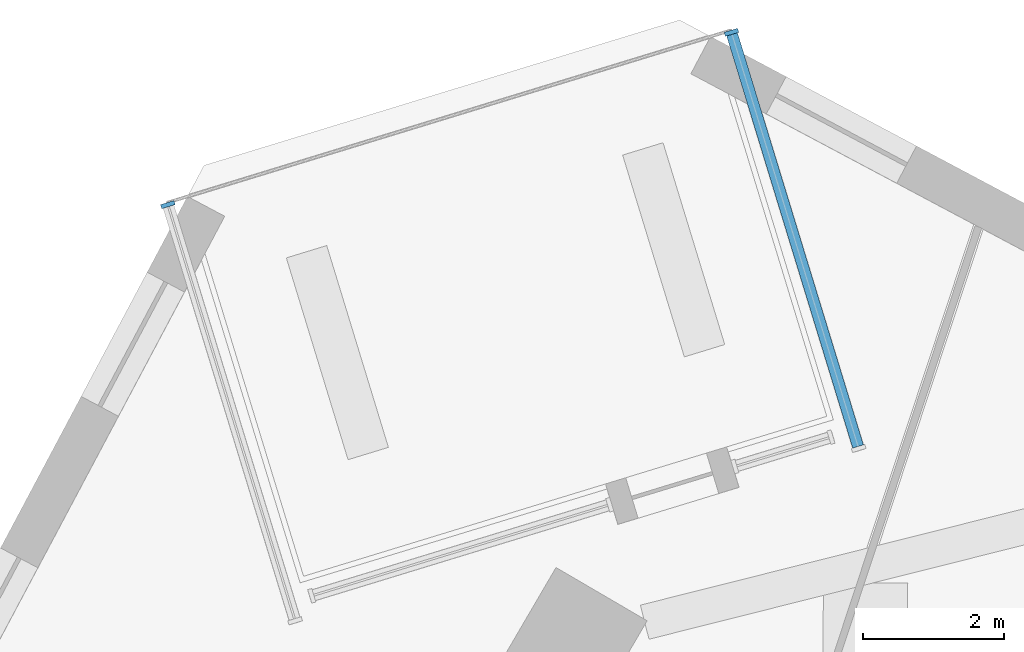
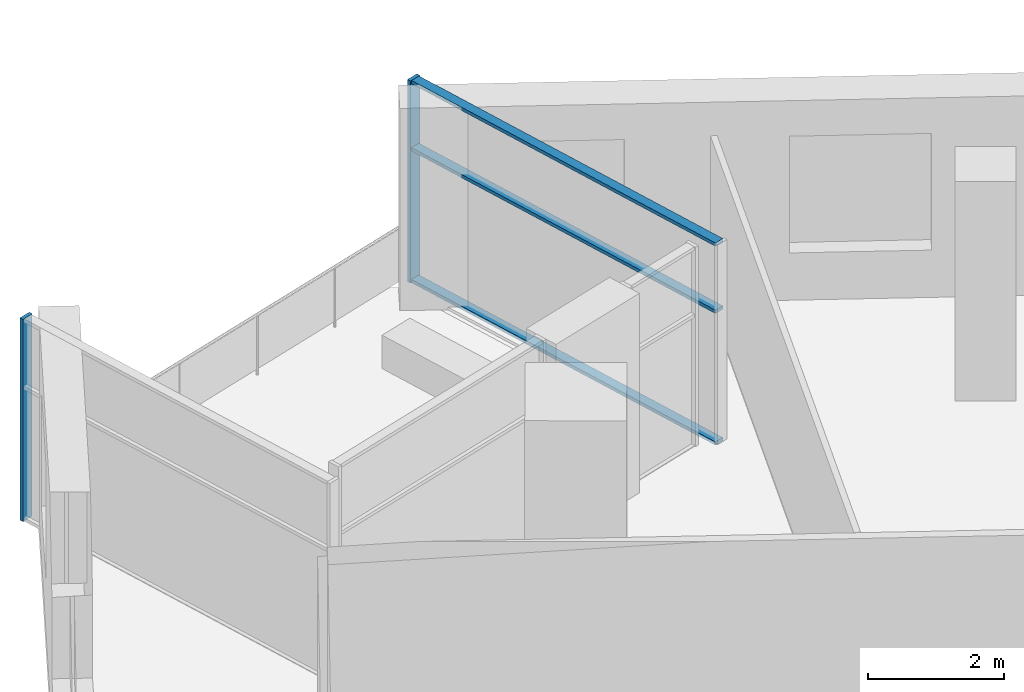
# One storey, part 4 of 13: 5 members, 2 elements without a shape of their own.
"""IFC4 building model written with IfcOpenShell, lengths in metres."""

from ifc_helpers import new_model, si_unit, direction, frame, origin, origin_2d, place, context, subcontext, project, spatial, rectangle, extrude, material, material_profile, profile_set, type_object, element, aggregate, save


model = new_model("IFC4")

# Units and contexts
model_context = context("Model", 3, precision=1e-05, world=origin(), true_north=direction((0.0, 1.0)))
body_context = subcontext(model_context, "Body", "Model", "MODEL_VIEW")
ifc_project = project(units=[si_unit("LENGTHUNIT", "METRE"), si_unit("AREAUNIT", "SQUARE_METRE"), si_unit("VOLUMEUNIT", "CUBIC_METRE"), si_unit("PLANEANGLEUNIT", "RADIAN"), si_unit("MASSUNIT", "GRAM", prefix="KILO")], contexts=[model_context])

# Site, building, storey
site_placement = place(None, origin())
site = spatial("IfcSite", under=ifc_project, at=site_placement, CompositionType="ELEMENT")
building_placement = place(site_placement, origin())
building = spatial("IfcBuilding", under=site, at=building_placement, Name="Dilmun Exchange Tower", CompositionType="ELEMENT")
storey_placement = place(building_placement, frame((0.0, 0.0, 274.89990234375)))
storey = spatial("IfcBuildingStorey", under=building, at=storey_placement, Name="L65", CompositionType="ELEMENT", Elevation=274.89990234375)

# Curtain wall, member
ifc_material_1 = material(Name="Anodised aluminium and clear glass", Category="aluminium")
curtain_wall_type = type_object("IfcCurtainWallType", Name="Garden corner glazing", PredefinedType="NOTDEFINED", material=ifc_material_1)
curtain_wall_1_placement = place(storey_placement, origin())
curtain_wall_1 = element("IfcCurtainWall", 1, at=curtain_wall_1_placement, inside=storey, type_object=curtain_wall_type, Name="Garden corner glazing run GC1.1", PredefinedType="NOTDEFINED")
ifc_material_2 = material(Name="Anodised aluminium", Category="aluminium")
ifc_material_profile_1 = material_profile(ifc_material_2, rectangle(XDim=0.199951171875, YDim=0.06005859375, at=origin_2d()), Name="AL 60x200")
ifc_profile_set_1 = profile_set([ifc_material_profile_1], Name="Anodised aluminium")
member_type_1 = type_object("IfcMemberType", Name="Garden corner glazing mullion 60 x 200", PredefinedType="MULLION", material=ifc_profile_set_1)
member_1_placement = place(storey_placement, frame((-1.68994140625, 35.091796875, 0.0), z_axis=(0.0, 0.0, 1.0), x_axis=(0.956303960364, 0.292374306997, 0.0)))
member_1 = element("IfcMember", 2, at=member_1_placement, type_object=member_type_1, Name="GC1.1 mullion 1", PredefinedType="MULLION", context=body_context, shape_type="SweptSolid", body=[
    extrude(rectangle(XDim=0.199951171875, YDim=0.06005859375, at=origin_2d()), origin(), (0.0, 0.0, 1.0), 3.64013671875),
])

curtain_wall_2_placement = place(storey_placement, origin())
curtain_wall_2 = element("IfcCurtainWall", 3, at=curtain_wall_2_placement, inside=storey, type_object=curtain_wall_type, Name="Garden corner glazing run GC3.1", PredefinedType="NOTDEFINED")
member_2_placement = place(storey_placement, frame((-9.701904296875, 32.642333984375, 0.0), z_axis=(0.0, 0.0, 1.0), x_axis=(-0.956303960364, -0.292374306997, 0.0)))
member_2 = element("IfcMember", 4, at=member_2_placement, type_object=member_type_1, Name="GC3.1 mullion 2", PredefinedType="MULLION", context=body_context, shape_type="SweptSolid", body=[
    extrude(rectangle(XDim=0.199951171875, YDim=0.06005859375, at=origin_2d()), origin(), (0.0, 0.0, 1.0), 3.64013671875),
])
aggregate(curtain_wall_2, [member_2])

# Member
ifc_material_profile_2 = material_profile(ifc_material_2, rectangle(XDim=0.159912109375, YDim=0.06005859375, at=origin_2d()), Name="AL 60x160")
ifc_profile_set_2 = profile_set([ifc_material_profile_2], Name="Anodised aluminium")
member_type_2 = type_object("IfcMemberType", Name="Garden corner glazing transom 60 x 160", PredefinedType="USERDEFINED", material=ifc_profile_set_2)
member_3_placement = place(storey_placement, frame((-1.68115234375, 35.063232421875, 0.030029296875), z_axis=(0.292374441819, -0.956303919145, 0.0), x_axis=(0.956303919145, 0.292374441819, 0.0)))
member_3 = element("IfcMember", 5, at=member_3_placement, type_object=member_type_2, Name="GC1.1 transom 1.1", ObjectType="TRANSOM", PredefinedType="USERDEFINED", context=body_context, shape_type="SweptSolid", body=[
    extrude(rectangle(XDim=0.159912109375, YDim=0.06005859375, at=origin_2d()), origin(), (0.0, 0.0, 1.0), 6.126708984375),
])

member_4_placement = place(storey_placement, frame((-1.68115234375, 35.063232421875, 2.400146484375), z_axis=(0.292374441819, -0.956303919145, 0.0), x_axis=(0.956303919145, 0.292374441819, 0.0)))
member_4 = element("IfcMember", 6, at=member_4_placement, type_object=member_type_2, Name="GC1.1 transom 1.2", ObjectType="TRANSOM", PredefinedType="USERDEFINED", context=body_context, shape_type="SweptSolid", body=[
    extrude(rectangle(XDim=0.159912109375, YDim=0.06005859375, at=origin_2d()), origin(), (0.0, 0.0, 1.0), 6.126708984375),
])

member_5_placement = place(storey_placement, frame((-1.68115234375, 35.063232421875, 3.610107421875), z_axis=(0.292374441819, -0.956303919145, 0.0), x_axis=(0.956303919145, 0.292374441819, 0.0)))
member_5 = element("IfcMember", 7, at=member_5_placement, type_object=member_type_2, Name="GC1.1 transom 1.3", ObjectType="TRANSOM", PredefinedType="USERDEFINED", context=body_context, shape_type="SweptSolid", body=[
    extrude(rectangle(XDim=0.159912109375, YDim=0.06005859375, at=origin_2d()), origin(), (0.0, 0.0, 1.0), 6.126708984375),
])

aggregate(curtain_wall_1, [member_1, member_3, member_4, member_5])

save(model, "model.ifc")
